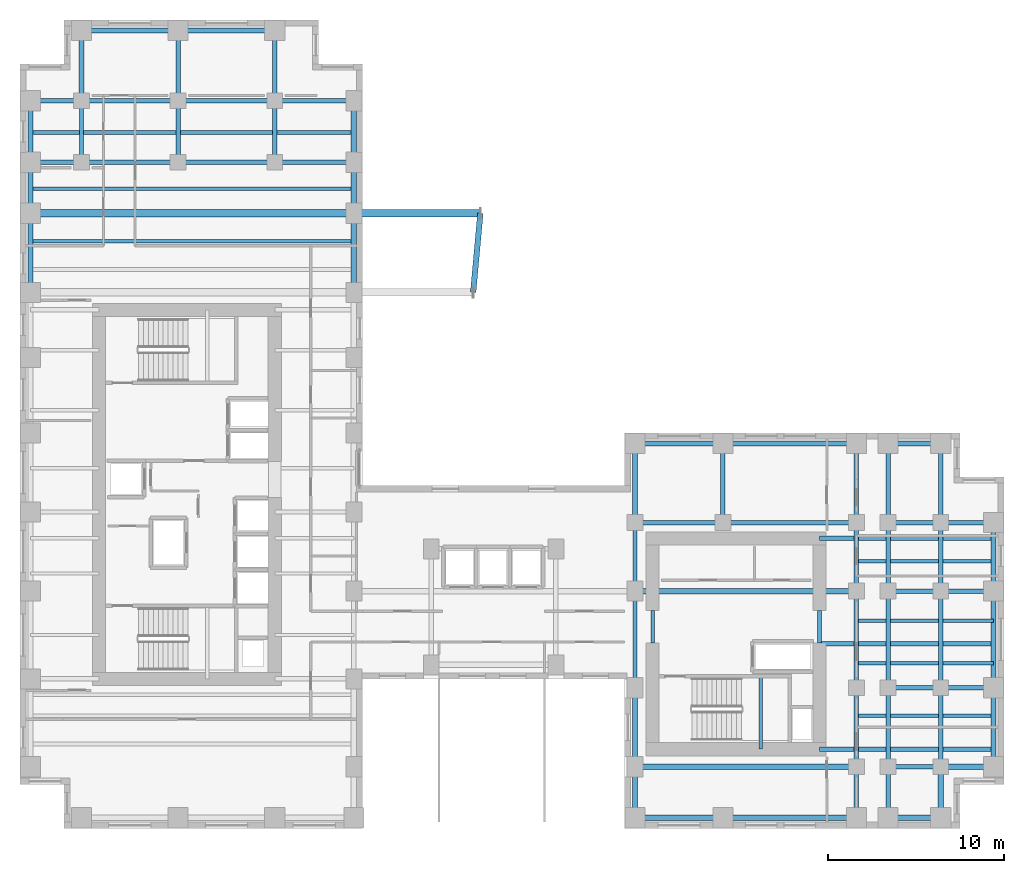
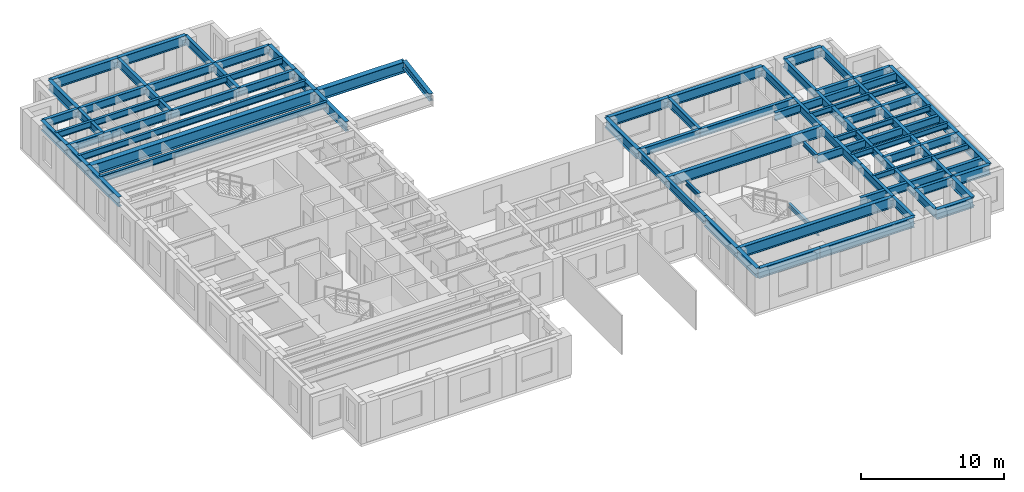
# One storey, part 3 of 13: 80 beams.
"""IFC4 building model written with IfcOpenShell, lengths in metres."""

from ifc_helpers import new_model, si_unit, direction, frame, origin, origin_2d, place, context, subcontext, project, spatial, i_section, extrude, source, transform, mapped, material, material_profile, profile_set, type_object, element, save


model = new_model("IFC4")

# Units and contexts
model_context = context("Model", 3, precision=1e-05, world=origin(), true_north=direction((0.0, 1.0)))
body_context = subcontext(model_context, "Body", "Model", "MODEL_VIEW")
ifc_project = project(units=[si_unit("LENGTHUNIT", "METRE"), si_unit("AREAUNIT", "SQUARE_METRE"), si_unit("VOLUMEUNIT", "CUBIC_METRE"), si_unit("PLANEANGLEUNIT", "RADIAN"), si_unit("MASSUNIT", "GRAM", prefix="KILO")], contexts=[model_context])

# Site, building, storey
site_placement = place(None, origin())
site = spatial("IfcSite", under=ifc_project, at=site_placement, CompositionType="ELEMENT")
building_placement = place(site_placement, origin())
building = spatial("IfcBuilding", under=site, at=building_placement, Name="Kharzan Plaza Tower", CompositionType="ELEMENT")
storey_placement = place(building_placement, frame((0.0, 0.0, 109.800048828125)))
storey = spatial("IfcBuildingStorey", under=building, at=storey_placement, Name="L29", CompositionType="ELEMENT", Elevation=109.800048828125)

# Beams
ifc_material = material(Name="Steel S355", Category="steel")
ifc_material_profile_1 = material_profile(ifc_material, i_section(OverallWidth=0.205078125, OverallDepth=0.35400390625, WebThickness=0.009521484375, FlangeThickness=0.016845703125, at=origin_2d()), Name="W360x79")
ifc_profile_set_1 = profile_set([ifc_material_profile_1], Name="Steel S355")
beam_type_1 = type_object("IfcBeamType", Name="BM-LNT360", PredefinedType="LINTEL", material=ifc_profile_set_1)
shared_shape_1 = source(origin(), body_context, "Body", "SweptSolid", [
    extrude(i_section(OverallWidth=0.205078125, OverallDepth=0.35400390625, WebThickness=0.009521484375, FlangeThickness=0.016845703125, at=origin_2d()), origin(), (0.0, 0.0, 1.0), 1.849853515625),
])
for number, where, z_axis, x_axis, name in (
    (1, (45.5, 10.550048828125, 3.202880859375), (0.0, 1.0, 0.0), (-1.0, 0.0, 0.0), "L29 CORE-B coupling lintel LN1-WE"),
    (2, (36.0, 10.550048828125, 3.202880859375), (0.0, 1.0, 0.0), (-1.0, 0.0, 0.0), "L29 CORE-B coupling lintel LN1-WW"),
):
    element("IfcBeam", number, at=place(storey_placement, frame(where, z_axis=z_axis, x_axis=x_axis)), inside=storey, type_object=beam_type_1, Name=name, PredefinedType="LINTEL", context=body_context, shape_type="MappedRepresentation", body=[
        mapped(shared_shape_1, transform((0.0, 0.0, 0.0), x_axis=(1.0, 0.0, 0.0), y_axis=(0.0, 1.0, 0.0), z_axis=(0.0, 0.0, 1.0))),
    ])
shared_shape_2 = source(origin(), body_context, "Body", "SweptSolid", [
    extrude(i_section(OverallWidth=0.205078125, OverallDepth=0.35400390625, WebThickness=0.009521484375, FlangeThickness=0.016845703125, at=origin_2d()), origin(), (0.0, 0.0, 1.0), 4.155029296875),
])
beam_1_placement = place(storey_placement, frame((42.14990234375, 4.5, 1.4228515625), z_axis=(0.0, 1.0, 0.0), x_axis=(-1.0, 0.0, 0.0)))
element("IfcBeam", 3, at=beam_1_placement, inside=storey, type_object=beam_type_1, Name="L29 Stair ST-3 Half-Landing Beam", PredefinedType="LINTEL", context=body_context, shape_type="MappedRepresentation", body=[
    mapped(shared_shape_2, transform((0.0, 0.0, 0.0), x_axis=(1.0, 0.0, 0.0), y_axis=(0.0, 1.0, 0.0), z_axis=(0.0, 0.0, 1.0))),
])
ifc_material_profile_2 = material_profile(ifc_material, i_section(OverallWidth=0.304931640625, OverallDepth=0.9189453125, WebThickness=0.017333984375, FlangeThickness=0.02783203125, at=origin_2d()), Name="W920x253")
ifc_profile_set_2 = profile_set([ifc_material_profile_2], Name="Steel S355")
beam_type_2 = type_object("IfcBeamType", Name="BM-FG920B", PredefinedType="BEAM", material=ifc_profile_set_2)
shared_shape_3 = source(origin(), body_context, "Body", "SweptSolid", [
    extrude(i_section(OverallWidth=0.304931640625, OverallDepth=0.9189453125, WebThickness=0.017333984375, FlangeThickness=0.02783203125, at=origin_2d()), origin(), (0.0, 0.0, 1.0), 12.60009765625),
])
for number, where, z_axis, x_axis, name in (
    (4, (35.0, 3.5, 2.92041015625), (1.0, 0.0, 0.0), (0.0, 1.0, 0.0), "L29 Primary Floor Girder"),
    (5, (35.0, 13.5, 2.92041015625), (1.0, 0.0, 0.0), (0.0, 1.0, 0.0), "L29 Primary Floor Girder"),
):
    element("IfcBeam", number, at=place(storey_placement, frame(where, z_axis=z_axis, x_axis=x_axis)), inside=storey, type_object=beam_type_2, Name=name, PredefinedType="BEAM", context=body_context, shape_type="MappedRepresentation", body=[
        mapped(shared_shape_3, transform((0.0, 0.0, 0.0), x_axis=(1.0, 0.0, 0.0), y_axis=(0.0, 1.0, 0.0), z_axis=(0.0, 0.0, 1.0))),
    ])
ifc_material_profile_3 = material_profile(ifc_material, i_section(OverallWidth=0.2099609375, OverallDepth=0.537109375, WebThickness=0.010986328125, FlangeThickness=0.017333984375, at=origin_2d()), Name="W530x101")
ifc_profile_set_3 = profile_set([ifc_material_profile_3], Name="Steel S355")
beam_type_3 = type_object("IfcBeamType", Name="BM-JST530B", PredefinedType="JOIST", material=ifc_profile_set_3)
shared_shape_4 = source(origin(), body_context, "Body", "SweptSolid", [
    extrude(i_section(OverallWidth=0.2099609375, OverallDepth=0.537109375, WebThickness=0.010986328125, FlangeThickness=0.017333984375, at=origin_2d()), origin(), (0.0, 0.0, 1.0), 18.39990234375),
])
for number, where, z_axis, x_axis, name in (
    (6, (0.60009765625, 33.39990234375, 3.111572265625), (1.0, 0.0, 0.0), (0.0, 1.0, 0.0), "L29 Wing A Composite Joist 05"),
    (7, (0.60009765625, 36.39990234375, 3.111572265625), (1.0, 0.0, 0.0), (0.0, 1.0, 0.0), "L29 Wing A Composite Joist 06"),
    (8, (0.60009765625, 39.60009765625, 3.111572265625), (1.0, 0.0, 0.0), (0.0, 1.0, 0.0), "L29 Wing A Composite Joist 07"),
):
    element("IfcBeam", number, at=place(storey_placement, frame(where, z_axis=z_axis, x_axis=x_axis)), inside=storey, type_object=beam_type_3, Name=name, PredefinedType="JOIST", context=body_context, shape_type="MappedRepresentation", body=[
        mapped(shared_shape_4, transform((0.0, 0.0, 0.0), x_axis=(1.0, 0.0, 0.0), y_axis=(0.0, 1.0, 0.0), z_axis=(0.0, 0.0, 1.0))),
    ])
ifc_material_profile_4 = material_profile(ifc_material, i_section(OverallWidth=0.41796875, OverallDepth=0.93701171875, WebThickness=0.019287109375, FlangeThickness=0.031982421875, at=origin_2d()), Name="W920x342")
ifc_profile_set_4 = profile_set([ifc_material_profile_4], Name="Steel S355")
beam_type_4 = type_object("IfcBeamType", Name="BM-ZTB920", PredefinedType="BEAM", material=ifc_profile_set_4)
shared_shape_5 = source(origin(), body_context, "Body", "SweptSolid", [
    extrude(i_section(OverallWidth=0.41796875, OverallDepth=0.93701171875, WebThickness=0.019287109375, FlangeThickness=0.031982421875, at=origin_2d()), origin(), (0.0, 0.0, 1.0), 18.39990234375),
])
beam_2_placement = place(storey_placement, frame((0.60009765625, 35.0, 2.911376953125), z_axis=(1.0, 0.0, 0.0), x_axis=(0.0, 1.0, 0.0)))
element("IfcBeam", 9, at=beam_2_placement, inside=storey, type_object=beam_type_4, Name="L29 Sky-Terrace Back-Span Girder ZTB1 (L30 G2)", PredefinedType="BEAM", context=body_context, shape_type="MappedRepresentation", body=[
    mapped(shared_shape_5, transform((0.0, 0.0, 0.0), x_axis=(1.0, 0.0, 0.0), y_axis=(0.0, 1.0, 0.0), z_axis=(0.0, 0.0, 1.0))),
])
ifc_material_profile_5 = material_profile(ifc_material, i_section(OverallWidth=0.41796875, OverallDepth=0.93701171875, WebThickness=0.019287109375, FlangeThickness=0.031982421875, at=origin_2d()), Name="W920x342")
ifc_profile_set_5 = profile_set([ifc_material_profile_5], Name="Steel S355")
beam_type_5 = type_object("IfcBeamType", Name="BM-ZTG920", PredefinedType="BEAM", material=ifc_profile_set_5)
shared_shape_6 = source(origin(), body_context, "Body", "SweptSolid", [
    extrude(i_section(OverallWidth=0.41796875, OverallDepth=0.93701171875, WebThickness=0.019287109375, FlangeThickness=0.031982421875, at=origin_2d()), origin(), (0.0, 0.0, 1.0), 7.199951171875),
])
beam_3_placement = place(storey_placement, frame((19.0, 35.0, 2.911376953125), z_axis=(1.0, 0.0, 0.0), x_axis=(0.0, 1.0, 0.0)))
element("IfcBeam", 10, at=beam_3_placement, inside=storey, type_object=beam_type_5, Name="L29 Sky-Terrace Cantilever Girder ZTG1 (L30 G2)", PredefinedType="BEAM", context=body_context, shape_type="MappedRepresentation", body=[
    mapped(shared_shape_6, transform((0.0, 0.0, 0.0), x_axis=(1.0, 0.0, 0.0), y_axis=(0.0, 1.0, 0.0), z_axis=(0.0, 0.0, 1.0))),
])
ifc_material_profile_6 = material_profile(ifc_material, i_section(OverallWidth=0.324951171875, OverallDepth=0.615966796875, WebThickness=0.013916015625, FlangeThickness=0.021484375, at=origin_2d()), Name="W610x174")
ifc_profile_set_6 = profile_set([ifc_material_profile_6], Name="Steel S355")
beam_type_6 = type_object("IfcBeamType", Name="BM-ZTT610", PredefinedType="BEAM", material=ifc_profile_set_6)
shared_shape_7 = source(origin(), body_context, "Body", "SweptSolid", [
    extrude(i_section(OverallWidth=0.324951171875, OverallDepth=0.615966796875, WebThickness=0.013916015625, FlangeThickness=0.021484375, at=origin_2d()), origin(), (0.0, 0.0, 1.0), 4.5185546875),
])
beam_4_placement = place(storey_placement, frame((25.7900390625, 30.5, 3.072021484375), z_axis=(0.09071599143, 0.995876804077, 0.0), x_axis=(-0.995876804077, 0.09071599143, 0.0)))
element("IfcBeam", 11, at=beam_4_placement, inside=storey, type_object=beam_type_6, Name="L29 Sky-Terrace Edge Trimmer Beam ZTT1 (L30)", PredefinedType="BEAM", context=body_context, shape_type="MappedRepresentation", body=[
    mapped(shared_shape_7, transform((0.0, 0.0, 0.0), x_axis=(1.0, 0.0, 0.0), y_axis=(0.0, 1.0, 0.0), z_axis=(0.0, 0.0, 1.0))),
])
ifc_material_profile_7 = material_profile(ifc_material, i_section(OverallWidth=0.25390625, OverallDepth=0.68798828125, WebThickness=0.01318359375, FlangeThickness=0.02099609375, at=origin_2d()), Name="W690x152")
ifc_profile_set_7 = profile_set([ifc_material_profile_7], Name="Steel S355")
beam_type_7 = type_object("IfcBeamType", Name="BM-FG690B", PredefinedType="BEAM", material=ifc_profile_set_7)
shared_shape_8 = source(origin(), body_context, "Body", "SweptSolid", [
    extrude(i_section(OverallWidth=0.25390625, OverallDepth=0.68798828125, WebThickness=0.01318359375, FlangeThickness=0.02099609375, at=origin_2d()), origin(), (0.0, 0.0, 1.0), 4.5),
])
for number, where, z_axis, x_axis, name in (
    (12, (40.0, 17.39990234375, 3.035888671875), (0.0, 1.0, 0.0), (-1.0, 0.0, 0.0), "L29 Interior Frame Girder"),
    (13, (47.60009765625, 3.5, 3.035888671875), (0.0, 1.0, 0.0), (-1.0, 0.0, 0.0), "L29 Interior Frame Girder"),
    (14, (47.60009765625, 17.39990234375, 3.035888671875), (0.0, 1.0, 0.0), (-1.0, 0.0, 0.0), "L29 Interior Frame Girder"),
    (15, (49.39990234375, 3.5, 3.035888671875), (0.0, 1.0, 0.0), (-1.0, 0.0, 0.0), "L29 Interior Frame Girder"),
    (16, (49.39990234375, 17.39990234375, 3.035888671875), (0.0, 1.0, 0.0), (-1.0, 0.0, 0.0), "L29 Interior Frame Girder"),
    (17, (52.39990234375, 3.5, 3.035888671875), (0.0, 1.0, 0.0), (-1.0, 0.0, 0.0), "L29 Interior Frame Girder"),
    (18, (52.39990234375, 17.39990234375, 3.035888671875), (0.0, 1.0, 0.0), (-1.0, 0.0, 0.0), "L29 Interior Frame Girder"),
    (19, (14.5, 37.89990234375, 3.035888671875), (1.0, 0.0, 0.0), (0.0, 1.0, 0.0), "L29 Primary Floor Girder"),
    (20, (14.5, 41.39990234375, 3.035888671875), (1.0, 0.0, 0.0), (0.0, 1.0, 0.0), "L29 Primary Floor Girder"),
):
    element("IfcBeam", number, at=place(storey_placement, frame(where, z_axis=z_axis, x_axis=x_axis)), inside=storey, type_object=beam_type_7, Name=name, PredefinedType="BEAM", context=body_context, shape_type="MappedRepresentation", body=[
        mapped(shared_shape_8, transform((0.0, 0.0, 0.0), x_axis=(1.0, 0.0, 0.0), y_axis=(0.0, 1.0, 0.0), z_axis=(0.0, 0.0, 1.0))),
    ])
shared_shape_9 = source(origin(), body_context, "Body", "SweptSolid", [
    extrude(i_section(OverallWidth=0.25390625, OverallDepth=0.68798828125, WebThickness=0.01318359375, FlangeThickness=0.02099609375, at=origin_2d()), origin(), (0.0, 0.0, 1.0), 3.89990234375),
])
for number, where, z_axis, x_axis, name in (
    (21, (35.0, 13.5, 3.035888671875), (0.0, 1.0, 0.0), (-1.0, 0.0, 0.0), "L29 Interior Frame Girder"),
    (22, (47.60009765625, 13.5, 3.035888671875), (0.0, 1.0, 0.0), (-1.0, 0.0, 0.0), "L29 Interior Frame Girder"),
    (23, (49.39990234375, 13.5, 3.035888671875), (0.0, 1.0, 0.0), (-1.0, 0.0, 0.0), "L29 Interior Frame Girder"),
    (24, (52.39990234375, 13.5, 3.035888671875), (0.0, 1.0, 0.0), (-1.0, 0.0, 0.0), "L29 Interior Frame Girder"),
):
    element("IfcBeam", number, at=place(storey_placement, frame(where, z_axis=z_axis, x_axis=x_axis)), inside=storey, type_object=beam_type_7, Name=name, PredefinedType="BEAM", context=body_context, shape_type="MappedRepresentation", body=[
        mapped(shared_shape_9, transform((0.0, 0.0, 0.0), x_axis=(1.0, 0.0, 0.0), y_axis=(0.0, 1.0, 0.0), z_axis=(0.0, 0.0, 1.0))),
    ])
shared_shape_10 = source(origin(), body_context, "Body", "SweptSolid", [
    extrude(i_section(OverallWidth=0.25390625, OverallDepth=0.68798828125, WebThickness=0.01318359375, FlangeThickness=0.02099609375, at=origin_2d()), origin(), (0.0, 0.0, 1.0), 9.89990234375),
])
for number, where, z_axis, x_axis, name in (
    (25, (45.5, 4.5, 3.035888671875), (1.0, 0.0, 0.0), (0.0, 1.0, 0.0), "L29 Core-B East Floor Girder 1"),
    (26, (45.5, 10.5, 3.035888671875), (1.0, 0.0, 0.0), (0.0, 1.0, 0.0), "L29 Core-B East Floor Girder 2"),
    (27, (45.5, 16.5, 3.035888671875), (1.0, 0.0, 0.0), (0.0, 1.0, 0.0), "L29 Core-B East Floor Girder 3"),
):
    element("IfcBeam", number, at=place(storey_placement, frame(where, z_axis=z_axis, x_axis=x_axis)), inside=storey, type_object=beam_type_7, Name=name, PredefinedType="BEAM", context=body_context, shape_type="MappedRepresentation", body=[
        mapped(shared_shape_10, transform((0.0, 0.0, 0.0), x_axis=(1.0, 0.0, 0.0), y_axis=(0.0, 1.0, 0.0), z_axis=(0.0, 0.0, 1.0))),
    ])
shared_shape_11 = source(origin(), body_context, "Body", "SweptSolid", [
    extrude(i_section(OverallWidth=0.25390625, OverallDepth=0.68798828125, WebThickness=0.01318359375, FlangeThickness=0.02099609375, at=origin_2d()), origin(), (0.0, 0.0, 1.0), 3.5),
])
for number, where, z_axis, x_axis, name in (
    (28, (3.5, 37.89990234375, 3.035888671875), (0.0, 1.0, 0.0), (-1.0, 0.0, 0.0), "L29 Interior Frame Girder"),
    (29, (9.0, 37.89990234375, 3.035888671875), (0.0, 1.0, 0.0), (-1.0, 0.0, 0.0), "L29 Interior Frame Girder"),
    (30, (14.5, 37.89990234375, 3.035888671875), (0.0, 1.0, 0.0), (-1.0, 0.0, 0.0), "L29 Interior Frame Girder"),
):
    element("IfcBeam", number, at=place(storey_placement, frame(where, z_axis=z_axis, x_axis=x_axis)), inside=storey, type_object=beam_type_7, Name=name, PredefinedType="BEAM", context=body_context, shape_type="MappedRepresentation", body=[
        mapped(shared_shape_11, transform((0.0, 0.0, 0.0), x_axis=(1.0, 0.0, 0.0), y_axis=(0.0, 1.0, 0.0), z_axis=(0.0, 0.0, 1.0))),
    ])
shared_shape_12 = source(origin(), body_context, "Body", "SweptSolid", [
    extrude(i_section(OverallWidth=0.25390625, OverallDepth=0.68798828125, WebThickness=0.01318359375, FlangeThickness=0.02099609375, at=origin_2d()), origin(), (0.0, 0.0, 1.0), 4.0),
])
for number, where, z_axis, x_axis, name in (
    (31, (9.0, 41.39990234375, 3.035888671875), (0.0, 1.0, 0.0), (-1.0, 0.0, 0.0), "L29 Interior Frame Girder"),
    (32, (14.5, 41.39990234375, 3.035888671875), (0.0, 1.0, 0.0), (-1.0, 0.0, 0.0), "L29 Interior Frame Girder"),
):
    element("IfcBeam", number, at=place(storey_placement, frame(where, z_axis=z_axis, x_axis=x_axis)), inside=storey, type_object=beam_type_7, Name=name, PredefinedType="BEAM", context=body_context, shape_type="MappedRepresentation", body=[
        mapped(shared_shape_12, transform((0.0, 0.0, 0.0), x_axis=(1.0, 0.0, 0.0), y_axis=(0.0, 1.0, 0.0), z_axis=(0.0, 0.0, 1.0))),
    ])
shared_shape_13 = source(origin(), body_context, "Body", "SweptSolid", [
    extrude(i_section(OverallWidth=0.25390625, OverallDepth=0.68798828125, WebThickness=0.01318359375, FlangeThickness=0.02099609375, at=origin_2d()), origin(), (0.0, 0.0, 1.0), 5.0),
])
beam_5_placement = place(storey_placement, frame((35.0, 17.39990234375, 3.035888671875), z_axis=(1.0, 0.0, 0.0), x_axis=(0.0, 1.0, 0.0)))
element("IfcBeam", 33, at=beam_5_placement, inside=storey, type_object=beam_type_7, Name="L29 Primary Floor Girder", PredefinedType="BEAM", context=body_context, shape_type="MappedRepresentation", body=[
    mapped(shared_shape_13, transform((0.0, 0.0, 0.0), x_axis=(1.0, 0.0, 0.0), y_axis=(0.0, 1.0, 0.0), z_axis=(0.0, 0.0, 1.0))),
])
shared_shape_14 = source(origin(), body_context, "Body", "SweptSolid", [
    extrude(i_section(OverallWidth=0.25390625, OverallDepth=0.68798828125, WebThickness=0.01318359375, FlangeThickness=0.02099609375, at=origin_2d()), origin(), (0.0, 0.0, 1.0), 5.5),
])
for number, where, z_axis, x_axis, name in (
    (34, (35.0, 8.0, 3.035888671875), (0.0, 1.0, 0.0), (-1.0, 0.0, 0.0), "L29 Interior Frame Girder"),
    (35, (47.60009765625, 8.0, 3.035888671875), (0.0, 1.0, 0.0), (-1.0, 0.0, 0.0), "L29 Interior Frame Girder"),
    (36, (49.39990234375, 8.0, 3.035888671875), (0.0, 1.0, 0.0), (-1.0, 0.0, 0.0), "L29 Interior Frame Girder"),
    (37, (52.39990234375, 8.0, 3.035888671875), (0.0, 1.0, 0.0), (-1.0, 0.0, 0.0), "L29 Interior Frame Girder"),
    (38, (3.5, 37.89990234375, 3.035888671875), (1.0, 0.0, 0.0), (0.0, 1.0, 0.0), "L29 Primary Floor Girder"),
    (39, (9.0, 37.89990234375, 3.035888671875), (1.0, 0.0, 0.0), (0.0, 1.0, 0.0), "L29 Primary Floor Girder"),
    (40, (3.5, 41.39990234375, 3.035888671875), (1.0, 0.0, 0.0), (0.0, 1.0, 0.0), "L29 Primary Floor Girder"),
    (41, (9.0, 41.39990234375, 3.035888671875), (1.0, 0.0, 0.0), (0.0, 1.0, 0.0), "L29 Primary Floor Girder"),
):
    element("IfcBeam", number, at=place(storey_placement, frame(where, z_axis=z_axis, x_axis=x_axis)), inside=storey, type_object=beam_type_7, Name=name, PredefinedType="BEAM", context=body_context, shape_type="MappedRepresentation", body=[
        mapped(shared_shape_14, transform((0.0, 0.0, 0.0), x_axis=(1.0, 0.0, 0.0), y_axis=(0.0, 1.0, 0.0), z_axis=(0.0, 0.0, 1.0))),
    ])
shared_shape_15 = source(origin(), body_context, "Body", "SweptSolid", [
    extrude(i_section(OverallWidth=0.25390625, OverallDepth=0.68798828125, WebThickness=0.01318359375, FlangeThickness=0.02099609375, at=origin_2d()), origin(), (0.0, 0.0, 1.0), 2.89990234375),
])
for number, where, z_axis, x_axis, name in (
    (42, (47.60009765625, 0.60009765625, 3.035888671875), (0.0, 1.0, 0.0), (-1.0, 0.0, 0.0), "L29 Interior Frame Girder"),
    (43, (49.39990234375, 0.60009765625, 3.035888671875), (0.0, 1.0, 0.0), (-1.0, 0.0, 0.0), "L29 Interior Frame Girder"),
    (44, (0.60009765625, 37.89990234375, 3.035888671875), (1.0, 0.0, 0.0), (0.0, 1.0, 0.0), "L29 Primary Floor Girder"),
    (45, (0.60009765625, 41.39990234375, 3.035888671875), (1.0, 0.0, 0.0), (0.0, 1.0, 0.0), "L29 Primary Floor Girder"),
):
    element("IfcBeam", number, at=place(storey_placement, frame(where, z_axis=z_axis, x_axis=x_axis)), inside=storey, type_object=beam_type_7, Name=name, PredefinedType="BEAM", context=body_context, shape_type="MappedRepresentation", body=[
        mapped(shared_shape_15, transform((0.0, 0.0, 0.0), x_axis=(1.0, 0.0, 0.0), y_axis=(0.0, 1.0, 0.0), z_axis=(0.0, 0.0, 1.0))),
    ])
shared_shape_16 = source(origin(), body_context, "Body", "SweptSolid", [
    extrude(i_section(OverallWidth=0.25390625, OverallDepth=0.68798828125, WebThickness=0.01318359375, FlangeThickness=0.02099609375, at=origin_2d()), origin(), (0.0, 0.0, 1.0), 3.0),
])
for number, where, z_axis, x_axis, name in (
    (46, (49.39990234375, 3.5, 3.035888671875), (1.0, 0.0, 0.0), (0.0, 1.0, 0.0), "L29 Primary Floor Girder"),
    (47, (49.39990234375, 8.0, 3.035888671875), (1.0, 0.0, 0.0), (0.0, 1.0, 0.0), "L29 Primary Floor Girder"),
    (48, (52.39990234375, 8.0, 3.035888671875), (1.0, 0.0, 0.0), (0.0, 1.0, 0.0), "L29 Primary Floor Girder"),
    (49, (49.39990234375, 13.5, 3.035888671875), (1.0, 0.0, 0.0), (0.0, 1.0, 0.0), "L29 Primary Floor Girder"),
    (50, (52.39990234375, 13.5, 3.035888671875), (1.0, 0.0, 0.0), (0.0, 1.0, 0.0), "L29 Primary Floor Girder"),
    (51, (49.39990234375, 17.39990234375, 3.035888671875), (1.0, 0.0, 0.0), (0.0, 1.0, 0.0), "L29 Primary Floor Girder"),
    (52, (52.39990234375, 17.39990234375, 3.035888671875), (1.0, 0.0, 0.0), (0.0, 1.0, 0.0), "L29 Primary Floor Girder"),
):
    element("IfcBeam", number, at=place(storey_placement, frame(where, z_axis=z_axis, x_axis=x_axis)), inside=storey, type_object=beam_type_7, Name=name, PredefinedType="BEAM", context=body_context, shape_type="MappedRepresentation", body=[
        mapped(shared_shape_16, transform((0.0, 0.0, 0.0), x_axis=(1.0, 0.0, 0.0), y_axis=(0.0, 1.0, 0.0), z_axis=(0.0, 0.0, 1.0))),
    ])
shared_shape_17 = source(origin(), body_context, "Body", "SweptSolid", [
    extrude(i_section(OverallWidth=0.25390625, OverallDepth=0.68798828125, WebThickness=0.01318359375, FlangeThickness=0.02099609375, at=origin_2d()), origin(), (0.0, 0.0, 1.0), 7.60009765625),
])
beam_6_placement = place(storey_placement, frame((40.0, 17.39990234375, 3.035888671875), z_axis=(1.0, 0.0, 0.0), x_axis=(0.0, 1.0, 0.0)))
element("IfcBeam", 53, at=beam_6_placement, inside=storey, type_object=beam_type_7, Name="L29 Primary Floor Girder", PredefinedType="BEAM", context=body_context, shape_type="MappedRepresentation", body=[
    mapped(shared_shape_17, transform((0.0, 0.0, 0.0), x_axis=(1.0, 0.0, 0.0), y_axis=(0.0, 1.0, 0.0), z_axis=(0.0, 0.0, 1.0))),
])
ifc_material_profile_8 = material_profile(ifc_material, i_section(OverallWidth=0.194091796875, OverallDepth=0.468994140625, WebThickness=0.011474609375, FlangeThickness=0.0205078125, at=origin_2d()), Name="W460x106")
ifc_profile_set_8 = profile_set([ifc_material_profile_8], Name="Steel S355")
beam_type_8 = type_object("IfcBeamType", Name="BM-JST460", PredefinedType="JOIST", material=ifc_profile_set_8)
shared_shape_18 = source(origin(), body_context, "Body", "SweptSolid", [
    extrude(i_section(OverallWidth=0.194091796875, OverallDepth=0.468994140625, WebThickness=0.011474609375, FlangeThickness=0.0205078125, at=origin_2d()), origin(), (0.0, 0.0, 1.0), 7.7998046875),
])
for number, where, z_axis, x_axis, name in (
    (54, (47.60009765625, 6.39990234375, 3.1455078125), (1.0, 0.0, 0.0), (0.0, 1.0, 0.0), "L29 Wing B Composite Joist 02"),
    (55, (47.60009765625, 9.39990234375, 3.1455078125), (1.0, 0.0, 0.0), (0.0, 1.0, 0.0), "L29 Wing B Composite Joist 03"),
    (56, (47.60009765625, 11.800048828125, 3.1455078125), (1.0, 0.0, 0.0), (0.0, 1.0, 0.0), "L29 Wing B Composite Joist 04"),
    (57, (47.60009765625, 15.199951171875, 3.1455078125), (1.0, 0.0, 0.0), (0.0, 1.0, 0.0), "L29 Wing B Composite Joist 05"),
):
    element("IfcBeam", number, at=place(storey_placement, frame(where, z_axis=z_axis, x_axis=x_axis)), inside=storey, type_object=beam_type_8, Name=name, PredefinedType="JOIST", context=body_context, shape_type="MappedRepresentation", body=[
        mapped(shared_shape_18, transform((0.0, 0.0, 0.0), x_axis=(1.0, 0.0, 0.0), y_axis=(0.0, 1.0, 0.0), z_axis=(0.0, 0.0, 1.0))),
    ])
ifc_material_profile_9 = material_profile(ifc_material, i_section(OverallWidth=0.299072265625, OverallDepth=0.845947265625, WebThickness=0.015380859375, FlangeThickness=0.0244140625, at=origin_2d()), Name="W840x210")
ifc_profile_set_9 = profile_set([ifc_material_profile_9], Name="Steel S355")
beam_type_9 = type_object("IfcBeamType", Name="BM-SP840B", PredefinedType="SPANDREL", material=ifc_profile_set_9)
shared_shape_19 = source(origin(), body_context, "Body", "SweptSolid", [
    extrude(i_section(OverallWidth=0.299072265625, OverallDepth=0.845947265625, WebThickness=0.015380859375, FlangeThickness=0.0244140625, at=origin_2d()), origin(), (0.0, 0.0, 1.0), 5.0),
])
for number, where, z_axis, x_axis, name in (
    (58, (35.0, 0.60009765625, 2.95703125), (1.0, 0.0, 0.0), (0.0, 1.0, 0.0), "L29 Perimeter Tube Spandrel"),
    (59, (35.0, 21.89990234375, 2.95703125), (1.0, 0.0, 0.0), (0.0, 1.0, 0.0), "L29 Perimeter Tube Spandrel"),
):
    element("IfcBeam", number, at=place(storey_placement, frame(where, z_axis=z_axis, x_axis=x_axis)), inside=storey, type_object=beam_type_9, Name=name, PredefinedType="SPANDREL", context=body_context, shape_type="MappedRepresentation", body=[
        mapped(shared_shape_19, transform((0.0, 0.0, 0.0), x_axis=(1.0, 0.0, 0.0), y_axis=(0.0, 1.0, 0.0), z_axis=(0.0, 0.0, 1.0))),
    ])
shared_shape_20 = source(origin(), body_context, "Body", "SweptSolid", [
    extrude(i_section(OverallWidth=0.299072265625, OverallDepth=0.845947265625, WebThickness=0.015380859375, FlangeThickness=0.0244140625, at=origin_2d()), origin(), (0.0, 0.0, 1.0), 4.5),
])
for number, where, z_axis, x_axis, name in (
    (60, (0.60009765625, 30.5, 2.95703125), (0.0, 1.0, 0.0), (-1.0, 0.0, 0.0), "L29 Perimeter Tube Spandrel"),
    (61, (19.0, 30.5, 2.95703125), (0.0, 1.0, 0.0), (-1.0, 0.0, 0.0), "L29 Perimeter Tube Spandrel"),
    (62, (35.0, 3.5, 2.95703125), (0.0, 1.0, 0.0), (-1.0, 0.0, 0.0), "L29 Perimeter Tube Spandrel"),
    (63, (35.0, 17.39990234375, 2.95703125), (0.0, 1.0, 0.0), (-1.0, 0.0, 0.0), "L29 Perimeter Tube Spandrel"),
    (64, (55.39990234375, 3.5, 2.95703125), (0.0, 1.0, 0.0), (-1.0, 0.0, 0.0), "L29 Perimeter Tube Spandrel"),
):
    element("IfcBeam", number, at=place(storey_placement, frame(where, z_axis=z_axis, x_axis=x_axis)), inside=storey, type_object=beam_type_9, Name=name, PredefinedType="SPANDREL", context=body_context, shape_type="MappedRepresentation", body=[
        mapped(shared_shape_20, transform((0.0, 0.0, 0.0), x_axis=(1.0, 0.0, 0.0), y_axis=(0.0, 1.0, 0.0), z_axis=(0.0, 0.0, 1.0))),
    ])
shared_shape_21 = source(origin(), body_context, "Body", "SweptSolid", [
    extrude(i_section(OverallWidth=0.299072265625, OverallDepth=0.845947265625, WebThickness=0.015380859375, FlangeThickness=0.0244140625, at=origin_2d()), origin(), (0.0, 0.0, 1.0), 2.89990234375),
])
for number, where, z_axis, x_axis, name in (
    (65, (0.60009765625, 35.0, 2.95703125), (0.0, 1.0, 0.0), (-1.0, 0.0, 0.0), "L29 Perimeter Tube Spandrel"),
    (66, (19.0, 35.0, 2.95703125), (0.0, 1.0, 0.0), (-1.0, 0.0, 0.0), "L29 Perimeter Tube Spandrel"),
    (67, (35.0, 0.60009765625, 2.95703125), (0.0, 1.0, 0.0), (-1.0, 0.0, 0.0), "L29 Perimeter Tube Spandrel"),
    (68, (52.39990234375, 0.60009765625, 2.95703125), (0.0, 1.0, 0.0), (-1.0, 0.0, 0.0), "L29 Perimeter Tube Spandrel"),
):
    element("IfcBeam", number, at=place(storey_placement, frame(where, z_axis=z_axis, x_axis=x_axis)), inside=storey, type_object=beam_type_9, Name=name, PredefinedType="SPANDREL", context=body_context, shape_type="MappedRepresentation", body=[
        mapped(shared_shape_21, transform((0.0, 0.0, 0.0), x_axis=(1.0, 0.0, 0.0), y_axis=(0.0, 1.0, 0.0), z_axis=(0.0, 0.0, 1.0))),
    ])
shared_shape_22 = source(origin(), body_context, "Body", "SweptSolid", [
    extrude(i_section(OverallWidth=0.299072265625, OverallDepth=0.845947265625, WebThickness=0.015380859375, FlangeThickness=0.0244140625, at=origin_2d()), origin(), (0.0, 0.0, 1.0), 3.5),
])
for number, where, z_axis, x_axis, name in (
    (69, (0.60009765625, 37.89990234375, 2.95703125), (0.0, 1.0, 0.0), (-1.0, 0.0, 0.0), "L29 Perimeter Tube Spandrel"),
    (70, (19.0, 37.89990234375, 2.95703125), (0.0, 1.0, 0.0), (-1.0, 0.0, 0.0), "L29 Perimeter Tube Spandrel"),
):
    element("IfcBeam", number, at=place(storey_placement, frame(where, z_axis=z_axis, x_axis=x_axis)), inside=storey, type_object=beam_type_9, Name=name, PredefinedType="SPANDREL", context=body_context, shape_type="MappedRepresentation", body=[
        mapped(shared_shape_22, transform((0.0, 0.0, 0.0), x_axis=(1.0, 0.0, 0.0), y_axis=(0.0, 1.0, 0.0), z_axis=(0.0, 0.0, 1.0))),
    ])
shared_shape_23 = source(origin(), body_context, "Body", "SweptSolid", [
    extrude(i_section(OverallWidth=0.299072265625, OverallDepth=0.845947265625, WebThickness=0.015380859375, FlangeThickness=0.0244140625, at=origin_2d()), origin(), (0.0, 0.0, 1.0), 4.0),
])
beam_7_placement = place(storey_placement, frame((3.5, 41.39990234375, 2.95703125), z_axis=(0.0, 1.0, 0.0), x_axis=(-1.0, 0.0, 0.0)))
element("IfcBeam", 71, at=beam_7_placement, inside=storey, type_object=beam_type_9, Name="L29 Perimeter Tube Spandrel", PredefinedType="SPANDREL", context=body_context, shape_type="MappedRepresentation", body=[
    mapped(shared_shape_23, transform((0.0, 0.0, 0.0), x_axis=(1.0, 0.0, 0.0), y_axis=(0.0, 1.0, 0.0), z_axis=(0.0, 0.0, 1.0))),
])
shared_shape_24 = source(origin(), body_context, "Body", "SweptSolid", [
    extrude(i_section(OverallWidth=0.299072265625, OverallDepth=0.845947265625, WebThickness=0.015380859375, FlangeThickness=0.0244140625, at=origin_2d()), origin(), (0.0, 0.0, 1.0), 5.5),
])
for number, where, z_axis, x_axis, name in (
    (72, (55.39990234375, 8.0, 2.95703125), (0.0, 1.0, 0.0), (-1.0, 0.0, 0.0), "L29 Perimeter Tube Spandrel"),
    (73, (3.5, 45.39990234375, 2.95703125), (1.0, 0.0, 0.0), (0.0, 1.0, 0.0), "L29 Perimeter Tube Spandrel"),
    (74, (9.0, 45.39990234375, 2.95703125), (1.0, 0.0, 0.0), (0.0, 1.0, 0.0), "L29 Perimeter Tube Spandrel"),
):
    element("IfcBeam", number, at=place(storey_placement, frame(where, z_axis=z_axis, x_axis=x_axis)), inside=storey, type_object=beam_type_9, Name=name, PredefinedType="SPANDREL", context=body_context, shape_type="MappedRepresentation", body=[
        mapped(shared_shape_24, transform((0.0, 0.0, 0.0), x_axis=(1.0, 0.0, 0.0), y_axis=(0.0, 1.0, 0.0), z_axis=(0.0, 0.0, 1.0))),
    ])
shared_shape_25 = source(origin(), body_context, "Body", "SweptSolid", [
    extrude(i_section(OverallWidth=0.299072265625, OverallDepth=0.845947265625, WebThickness=0.015380859375, FlangeThickness=0.0244140625, at=origin_2d()), origin(), (0.0, 0.0, 1.0), 3.89990234375),
])
beam_8_placement = place(storey_placement, frame((55.39990234375, 13.5, 2.95703125), z_axis=(0.0, 1.0, 0.0), x_axis=(-1.0, 0.0, 0.0)))
element("IfcBeam", 75, at=beam_8_placement, inside=storey, type_object=beam_type_9, Name="L29 Perimeter Tube Spandrel", PredefinedType="SPANDREL", context=body_context, shape_type="MappedRepresentation", body=[
    mapped(shared_shape_25, transform((0.0, 0.0, 0.0), x_axis=(1.0, 0.0, 0.0), y_axis=(0.0, 1.0, 0.0), z_axis=(0.0, 0.0, 1.0))),
])
shared_shape_26 = source(origin(), body_context, "Body", "SweptSolid", [
    extrude(i_section(OverallWidth=0.299072265625, OverallDepth=0.845947265625, WebThickness=0.015380859375, FlangeThickness=0.0244140625, at=origin_2d()), origin(), (0.0, 0.0, 1.0), 7.60009765625),
])
for number, where, z_axis, x_axis, name in (
    (76, (40.0, 0.60009765625, 2.95703125), (1.0, 0.0, 0.0), (0.0, 1.0, 0.0), "L29 Perimeter Tube Spandrel"),
    (77, (40.0, 21.89990234375, 2.95703125), (1.0, 0.0, 0.0), (0.0, 1.0, 0.0), "L29 Perimeter Tube Spandrel"),
):
    element("IfcBeam", number, at=place(storey_placement, frame(where, z_axis=z_axis, x_axis=x_axis)), inside=storey, type_object=beam_type_9, Name=name, PredefinedType="SPANDREL", context=body_context, shape_type="MappedRepresentation", body=[
        mapped(shared_shape_26, transform((0.0, 0.0, 0.0), x_axis=(1.0, 0.0, 0.0), y_axis=(0.0, 1.0, 0.0), z_axis=(0.0, 0.0, 1.0))),
    ])
shared_shape_27 = source(origin(), body_context, "Body", "SweptSolid", [
    extrude(i_section(OverallWidth=0.299072265625, OverallDepth=0.845947265625, WebThickness=0.015380859375, FlangeThickness=0.0244140625, at=origin_2d()), origin(), (0.0, 0.0, 1.0), 3.0),
])
for number, where, z_axis, x_axis, name in (
    (78, (49.39990234375, 0.60009765625, 2.95703125), (1.0, 0.0, 0.0), (0.0, 1.0, 0.0), "L29 Perimeter Tube Spandrel"),
    (79, (52.39990234375, 3.5, 2.95703125), (1.0, 0.0, 0.0), (0.0, 1.0, 0.0), "L29 Perimeter Tube Spandrel"),
    (80, (49.39990234375, 21.89990234375, 2.95703125), (1.0, 0.0, 0.0), (0.0, 1.0, 0.0), "L29 Perimeter Tube Spandrel"),
):
    element("IfcBeam", number, at=place(storey_placement, frame(where, z_axis=z_axis, x_axis=x_axis)), inside=storey, type_object=beam_type_9, Name=name, PredefinedType="SPANDREL", context=body_context, shape_type="MappedRepresentation", body=[
        mapped(shared_shape_27, transform((0.0, 0.0, 0.0), x_axis=(1.0, 0.0, 0.0), y_axis=(0.0, 1.0, 0.0), z_axis=(0.0, 0.0, 1.0))),
    ])

save(model, "model.ifc")
